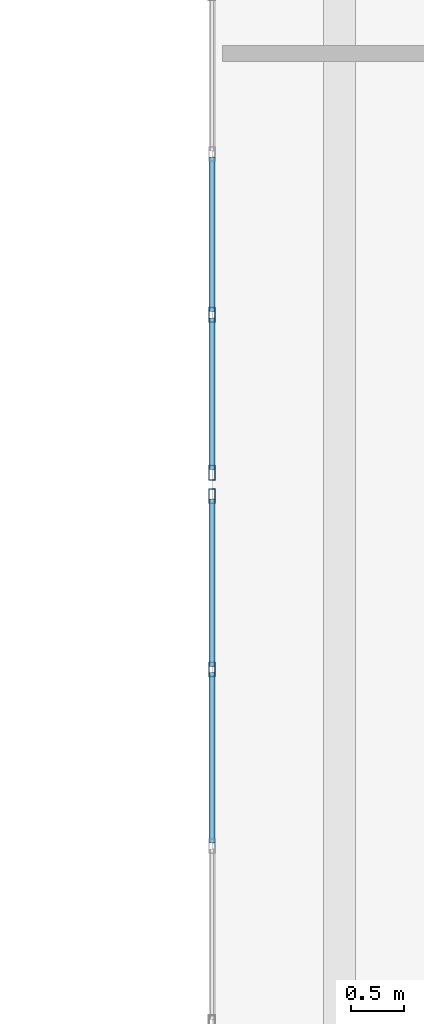
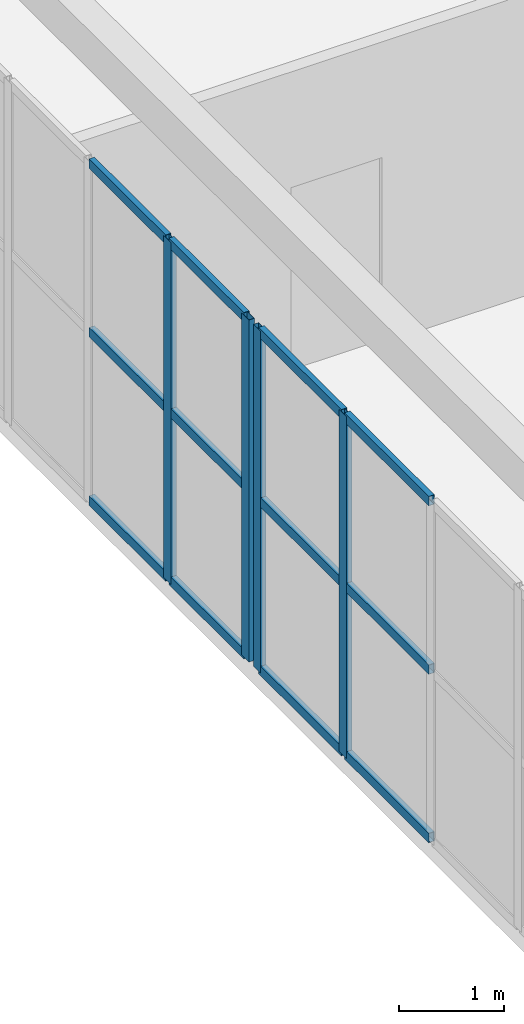
# One storey, part 17 of 81: 16 members, 2 elements without a shape of their own.
"""IFC4 building model written with IfcOpenShell, lengths in metres."""

from ifc_helpers import new_model, si_unit, direction, frame, origin, origin_2d, place, context, subcontext, project, spatial, hollow_rectangle, extrude, material, layer, layer_set, material_profile, profile_set, type_object, element, aggregate, save


model = new_model("IFC4")

# Units and contexts
model_context = context("Model", 3, precision=1e-05, world=origin(), true_north=direction((0.0, 1.0)))
body_context = subcontext(model_context, "Body", "Model", "MODEL_VIEW")
ifc_project = project(units=[si_unit("LENGTHUNIT", "METRE"), si_unit("AREAUNIT", "SQUARE_METRE"), si_unit("VOLUMEUNIT", "CUBIC_METRE"), si_unit("PLANEANGLEUNIT", "RADIAN"), si_unit("MASSUNIT", "GRAM", prefix="KILO")], contexts=[model_context])

# Site, building, storey
site_placement = place(None, origin())
site = spatial("IfcSite", under=ifc_project, at=site_placement, CompositionType="ELEMENT")
building_placement = place(site_placement, origin())
building = spatial("IfcBuilding", under=site, at=building_placement, Name="Trelvath General Hospital", CompositionType="ELEMENT")
storey_placement = place(building_placement, frame((0.0, 0.0, 24.60009765625)))
storey = spatial("IfcBuildingStorey", under=building, at=storey_placement, Name="L06", CompositionType="ELEMENT", Elevation=24.60009765625)

# Curtain wall, members
ifc_material_1 = material(Name="Anodised aluminium and low-E glass", Category="aluminium")
ifc_layer_1 = layer(ifc_material_1, 0.139892578125)
ifc_layer_set_1 = layer_set([ifc_layer_1], Name="Anodised aluminium and low-E glass")
curtain_wall_type_1 = type_object("IfcCurtainWallType", Name="CW CrystalCube 664 396 14", PredefinedType="USERDEFINED", material=ifc_layer_set_1)
curtain_wall_1_placement = place(storey_placement, origin())
curtain_wall_1 = element("IfcCurtainWall", 1, at=curtain_wall_1_placement, inside=storey, type_object=curtain_wall_type_1, Name="Crystal Cube Curtain Wall CUBE-W-T2 W1 L06", ObjectType="Unitised Glazed Curtain Wall", PredefinedType="USERDEFINED")
ifc_material_2 = material(Name="Anodised aluminium", Category="aluminium")
ifc_material_profile_1 = material_profile(ifc_material_2, hollow_rectangle(XDim=0.06005859375, YDim=0.139892578125, WallThickness=0.00390625, at=origin_2d()), Name="RHS60x140x4")
ifc_profile_set_1 = profile_set([ifc_material_profile_1], Name="Anodised aluminium")
member_type_1 = type_object("IfcMemberType", Name="CurtainMullion 60x140", PredefinedType="MULLION", material=ifc_profile_set_1)
member_1_placement = place(storey_placement, frame((59.60009765625, 48.659912109375, 0.0), z_axis=(0.0, 0.0, 1.0), x_axis=(-1.0, 0.0, 0.0)))
member_1 = element("IfcMember", 2, at=member_1_placement, type_object=member_type_1, Name="CW-328 mullion 4", PredefinedType="MULLION", context=body_context, shape_type="SweptSolid", body=[
    extrude(hollow_rectangle(XDim=0.06005859375, YDim=0.139892578125, WallThickness=0.00390625, at=origin_2d()), origin(), (0.0, 0.0, 1.0), 3.9599609375),
])
member_2_placement = place(storey_placement, frame((59.60009765625, 50.2900390625, 0.0), z_axis=(0.0, 0.0, 1.0), x_axis=(-1.0, 0.0, 0.0)))
member_2 = element("IfcMember", 3, at=member_2_placement, type_object=member_type_1, Name="CW-328 mullion 5", PredefinedType="MULLION", context=body_context, shape_type="SweptSolid", body=[
    extrude(hollow_rectangle(XDim=0.06005859375, YDim=0.139892578125, WallThickness=0.00390625, at=origin_2d()), origin(), (0.0, 0.0, 1.0), 3.9599609375),
])

ifc_material_3 = material(Name="Anodised aluminium and low-E glass", Category="aluminium")
ifc_layer_2 = layer(ifc_material_3, 0.139892578125)
ifc_layer_set_2 = layer_set([ifc_layer_2], Name="Anodised aluminium and low-E glass")
curtain_wall_type_2 = type_object("IfcCurtainWallType", Name="CW CrystalCube 1664 396 14", PredefinedType="USERDEFINED", material=ifc_layer_set_2)
curtain_wall_2_placement = place(storey_placement, origin())
curtain_wall_2 = element("IfcCurtainWall", 4, at=curtain_wall_2_placement, inside=storey, type_object=curtain_wall_type_2, Name="Crystal Cube Curtain Wall CUBE-W-T2 W2 L06", ObjectType="Unitised Glazed Curtain Wall", PredefinedType="USERDEFINED")
member_3_placement = place(storey_placement, frame((59.60009765625, 50.510009765625, 0.0), z_axis=(0.0, 0.0, 1.0), x_axis=(-1.0, 0.0, 0.0)))
member_3 = element("IfcMember", 5, at=member_3_placement, type_object=member_type_1, Name="CW-329 mullion 1", PredefinedType="MULLION", context=body_context, shape_type="SweptSolid", body=[
    extrude(hollow_rectangle(XDim=0.06005859375, YDim=0.139892578125, WallThickness=0.00390625, at=origin_2d()), origin(), (0.0, 0.0, 1.0), 3.9599609375),
])
member_4_placement = place(storey_placement, frame((59.60009765625, 51.99267578125, 0.0), z_axis=(0.0, 0.0, 1.0), x_axis=(-1.0, 0.0, 0.0)))
member_4 = element("IfcMember", 6, at=member_4_placement, type_object=member_type_1, Name="CW-329 mullion 2", PredefinedType="MULLION", context=body_context, shape_type="SweptSolid", body=[
    extrude(hollow_rectangle(XDim=0.06005859375, YDim=0.139892578125, WallThickness=0.00390625, at=origin_2d()), origin(), (0.0, 0.0, 1.0), 3.9599609375),
])

# Member
ifc_material_4 = material(Name="Anodised aluminium", Category="aluminium")
ifc_material_profile_2 = material_profile(ifc_material_4, hollow_rectangle(XDim=0.06005859375, YDim=0.110107421875, WallThickness=0.00390625, at=origin_2d()), Name="RHS60x110x4")
ifc_profile_set_2 = profile_set([ifc_material_profile_2], Name="Anodised aluminium")
member_type_2 = type_object("IfcMemberType", Name="CurtainTransom 60x110", PredefinedType="USERDEFINED", material=ifc_profile_set_2)
member_5_placement = place(storey_placement, frame((59.60009765625, 47.030029296875, 0.02978515625), z_axis=(0.0, 1.0, 0.0), x_axis=(-1.0, 0.0, 0.0)))
member_5 = element("IfcMember", 7, at=member_5_placement, type_object=member_type_2, Name="CW-328 transom 3.1", ObjectType="TRANSOM", PredefinedType="USERDEFINED", context=body_context, shape_type="SweptSolid", body=[
    extrude(hollow_rectangle(XDim=0.06005859375, YDim=0.110107421875, WallThickness=0.00390625, at=origin_2d()), origin(), (0.0, 0.0, 1.0), 1.599853515625),
])

member_6_placement = place(storey_placement, frame((59.60009765625, 47.030029296875, 1.97998046875), z_axis=(0.0, 1.0, 0.0), x_axis=(-1.0, 0.0, 0.0)))
member_6 = element("IfcMember", 8, at=member_6_placement, type_object=member_type_2, Name="CW-328 transom 3.2", ObjectType="TRANSOM", PredefinedType="USERDEFINED", context=body_context, shape_type="SweptSolid", body=[
    extrude(hollow_rectangle(XDim=0.06005859375, YDim=0.110107421875, WallThickness=0.00390625, at=origin_2d()), origin(), (0.0, 0.0, 1.0), 1.599853515625),
])

member_7_placement = place(storey_placement, frame((59.60009765625, 47.030029296875, 3.929931640625), z_axis=(0.0, 1.0, 0.0), x_axis=(-1.0, 0.0, 0.0)))
member_7 = element("IfcMember", 9, at=member_7_placement, type_object=member_type_2, Name="CW-328 transom 3.3", ObjectType="TRANSOM", PredefinedType="USERDEFINED", context=body_context, shape_type="SweptSolid", body=[
    extrude(hollow_rectangle(XDim=0.06005859375, YDim=0.110107421875, WallThickness=0.00390625, at=origin_2d()), origin(), (0.0, 0.0, 1.0), 1.599853515625),
])

member_8_placement = place(storey_placement, frame((59.60009765625, 48.68994140625, 0.02978515625), z_axis=(0.0, 1.0, 0.0), x_axis=(-1.0, 0.0, 0.0)))
member_8 = element("IfcMember", 10, at=member_8_placement, type_object=member_type_2, Name="CW-328 transom 4.1", ObjectType="TRANSOM", PredefinedType="USERDEFINED", context=body_context, shape_type="SweptSolid", body=[
    extrude(hollow_rectangle(XDim=0.06005859375, YDim=0.110107421875, WallThickness=0.00390625, at=origin_2d()), origin(), (0.0, 0.0, 1.0), 1.570068359375),
])

member_9_placement = place(storey_placement, frame((59.60009765625, 48.68994140625, 1.97998046875), z_axis=(0.0, 1.0, 0.0), x_axis=(-1.0, 0.0, 0.0)))
member_9 = element("IfcMember", 11, at=member_9_placement, type_object=member_type_2, Name="CW-328 transom 4.2", ObjectType="TRANSOM", PredefinedType="USERDEFINED", context=body_context, shape_type="SweptSolid", body=[
    extrude(hollow_rectangle(XDim=0.06005859375, YDim=0.110107421875, WallThickness=0.00390625, at=origin_2d()), origin(), (0.0, 0.0, 1.0), 1.570068359375),
])

member_10_placement = place(storey_placement, frame((59.60009765625, 48.68994140625, 3.929931640625), z_axis=(0.0, 1.0, 0.0), x_axis=(-1.0, 0.0, 0.0)))
member_10 = element("IfcMember", 12, at=member_10_placement, type_object=member_type_2, Name="CW-328 transom 4.3", ObjectType="TRANSOM", PredefinedType="USERDEFINED", context=body_context, shape_type="SweptSolid", body=[
    extrude(hollow_rectangle(XDim=0.06005859375, YDim=0.110107421875, WallThickness=0.00390625, at=origin_2d()), origin(), (0.0, 0.0, 1.0), 1.570068359375),
])

aggregate(curtain_wall_1, [member_1, member_2, member_5, member_6, member_7, member_8, member_9, member_10])

member_11_placement = place(storey_placement, frame((59.60009765625, 50.5400390625, 0.02978515625), z_axis=(0.0, 1.0, 0.0), x_axis=(-1.0, 0.0, 0.0)))
member_11 = element("IfcMember", 13, at=member_11_placement, type_object=member_type_2, Name="CW-329 transom 1.1", ObjectType="TRANSOM", PredefinedType="USERDEFINED", context=body_context, shape_type="SweptSolid", body=[
    extrude(hollow_rectangle(XDim=0.06005859375, YDim=0.110107421875, WallThickness=0.00390625, at=origin_2d()), origin(), (0.0, 0.0, 1.0), 1.422607421875),
])

member_12_placement = place(storey_placement, frame((59.60009765625, 50.5400390625, 1.97998046875), z_axis=(0.0, 1.0, 0.0), x_axis=(-1.0, 0.0, 0.0)))
member_12 = element("IfcMember", 14, at=member_12_placement, type_object=member_type_2, Name="CW-329 transom 1.2", ObjectType="TRANSOM", PredefinedType="USERDEFINED", context=body_context, shape_type="SweptSolid", body=[
    extrude(hollow_rectangle(XDim=0.06005859375, YDim=0.110107421875, WallThickness=0.00390625, at=origin_2d()), origin(), (0.0, 0.0, 1.0), 1.422607421875),
])

member_13_placement = place(storey_placement, frame((59.60009765625, 50.5400390625, 3.929931640625), z_axis=(0.0, 1.0, 0.0), x_axis=(-1.0, 0.0, 0.0)))
member_13 = element("IfcMember", 15, at=member_13_placement, type_object=member_type_2, Name="CW-329 transom 1.3", ObjectType="TRANSOM", PredefinedType="USERDEFINED", context=body_context, shape_type="SweptSolid", body=[
    extrude(hollow_rectangle(XDim=0.06005859375, YDim=0.110107421875, WallThickness=0.00390625, at=origin_2d()), origin(), (0.0, 0.0, 1.0), 1.422607421875),
])

member_14_placement = place(storey_placement, frame((59.60009765625, 52.022705078125, 0.02978515625), z_axis=(0.0, 1.0, 0.0), x_axis=(-1.0, 0.0, 0.0)))
member_14 = element("IfcMember", 16, at=member_14_placement, type_object=member_type_2, Name="CW-329 transom 2.1", ObjectType="TRANSOM", PredefinedType="USERDEFINED", context=body_context, shape_type="SweptSolid", body=[
    extrude(hollow_rectangle(XDim=0.06005859375, YDim=0.110107421875, WallThickness=0.00390625, at=origin_2d()), origin(), (0.0, 0.0, 1.0), 1.45263671875),
])

member_15_placement = place(storey_placement, frame((59.60009765625, 52.022705078125, 1.97998046875), z_axis=(0.0, 1.0, 0.0), x_axis=(-1.0, 0.0, 0.0)))
member_15 = element("IfcMember", 17, at=member_15_placement, type_object=member_type_2, Name="CW-329 transom 2.2", ObjectType="TRANSOM", PredefinedType="USERDEFINED", context=body_context, shape_type="SweptSolid", body=[
    extrude(hollow_rectangle(XDim=0.06005859375, YDim=0.110107421875, WallThickness=0.00390625, at=origin_2d()), origin(), (0.0, 0.0, 1.0), 1.45263671875),
])

member_16_placement = place(storey_placement, frame((59.60009765625, 52.022705078125, 3.929931640625), z_axis=(0.0, 1.0, 0.0), x_axis=(-1.0, 0.0, 0.0)))
member_16 = element("IfcMember", 18, at=member_16_placement, type_object=member_type_2, Name="CW-329 transom 2.3", ObjectType="TRANSOM", PredefinedType="USERDEFINED", context=body_context, shape_type="SweptSolid", body=[
    extrude(hollow_rectangle(XDim=0.06005859375, YDim=0.110107421875, WallThickness=0.00390625, at=origin_2d()), origin(), (0.0, 0.0, 1.0), 1.45263671875),
])

aggregate(curtain_wall_2, [member_3, member_4, member_11, member_12, member_13, member_14, member_15, member_16])

save(model, "model.ifc")
